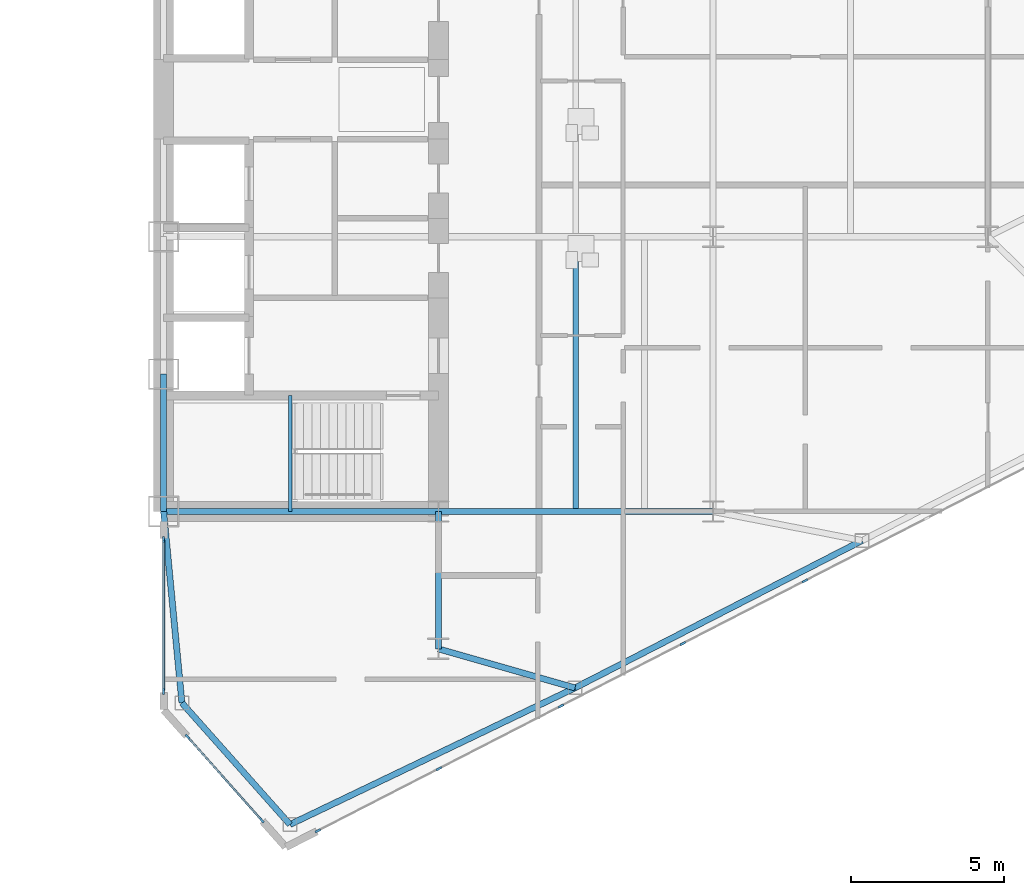
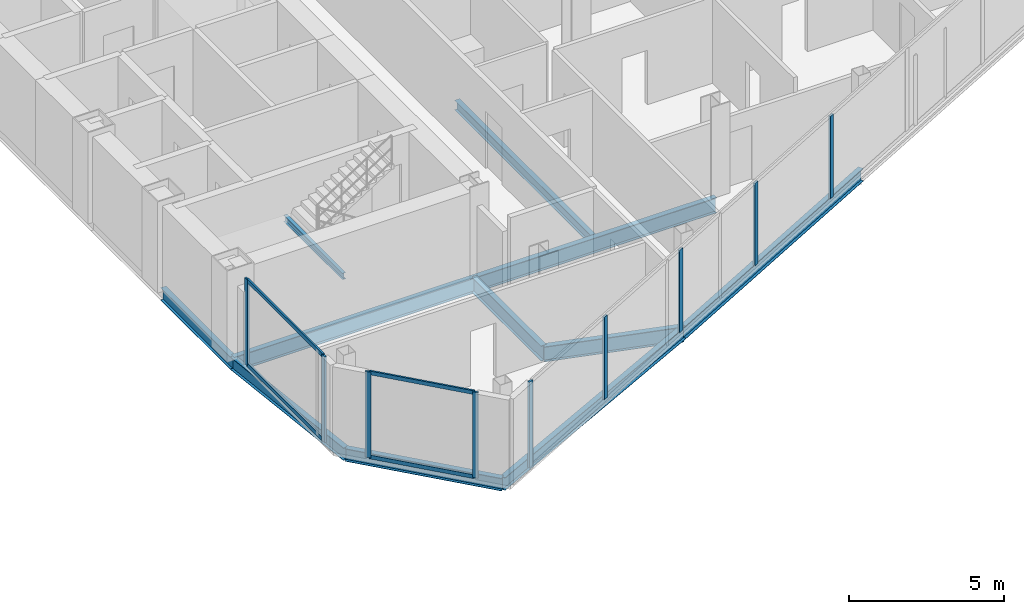
# One storey, part 8 of 24: 13 members, 11 beams, 3 elements without a shape of their own.
"""IFC4 building model written with IfcOpenShell, lengths in metres."""

from ifc_helpers import new_model, si_unit, direction, frame, origin, origin_2d, place, context, subcontext, project, spatial, rectangle, i_section, extrude, source, transform, mapped, material, layer, layer_set, material_profile, profile_set, type_object, type_shapes, element, aggregate, save


model = new_model("IFC4")

# Units and contexts
model_context = context("Model", 3, precision=1e-05, world=origin(), true_north=direction((0.0, 1.0)))
body_context = subcontext(model_context, "Body", "Model", "MODEL_VIEW")
ifc_project = project(units=[si_unit("LENGTHUNIT", "METRE"), si_unit("AREAUNIT", "SQUARE_METRE"), si_unit("VOLUMEUNIT", "CUBIC_METRE"), si_unit("PLANEANGLEUNIT", "RADIAN"), si_unit("MASSUNIT", "GRAM", prefix="KILO")], contexts=[model_context])

# Site, building, storey
site_placement = place(None, origin())
site = spatial("IfcSite", under=ifc_project, at=site_placement, CompositionType="ELEMENT")
building_placement = place(site_placement, origin())
building = spatial("IfcBuilding", under=site, at=building_placement, Name="Seokmaru Belvedere", CompositionType="ELEMENT")
storey_placement = place(building_placement, frame((0.0, 0.0, 117.60009765625)))
storey = spatial("IfcBuildingStorey", under=building, at=storey_placement, Name="L31", CompositionType="ELEMENT", Elevation=117.60009765625)

# Beams
ifc_material_1 = material(Name="Steel SM355 (355 MPa)", Category="steel")
ifc_material_profile_1 = material_profile(ifc_material_1, i_section(OverallWidth=0.199951171875, OverallDepth=0.5, WebThickness=0.010009765625, FlangeThickness=0.01611328125, at=origin_2d()), Name="H-500x200x10x16")
ifc_profile_set_1 = profile_set([ifc_material_profile_1], Name="Steel SM355 (355 MPa)")
beam_type_1 = type_object("IfcBeamType", Name="Perimeter Spandrel Beam H-500", PredefinedType="SPANDREL", material=ifc_profile_set_1)
shared_shape_1 = source(origin(), body_context, "Body", "SweptSolid", [
    extrude(i_section(OverallWidth=0.199951171875, OverallDepth=0.5, WebThickness=0.010009765625, FlangeThickness=0.01611328125, at=origin_2d()), origin(), (0.0, 0.0, 1.0), 4.5),
])
beam_1_placement = place(storey_placement, frame((27.5, -13.5, -0.47021484375), z_axis=(0.0, 1.0, 0.0), x_axis=(-1.0, 0.0, 0.0)))
element("IfcBeam", 1, at=beam_1_placement, inside=storey, type_object=beam_type_1, Name="L31 E Portal Spine Spandrel 1", PredefinedType="SPANDREL", context=body_context, shape_type="MappedRepresentation", body=[
    mapped(shared_shape_1, transform((0.0, 0.0, 0.0), scale=1.0)),
])
ifc_material_profile_2 = material_profile(ifc_material_1, i_section(OverallWidth=0.199951171875, OverallDepth=0.60009765625, WebThickness=0.010986328125, FlangeThickness=0.01708984375, at=origin_2d()), Name="H-600x200x11x17")
ifc_profile_set_2 = profile_set([ifc_material_profile_2], Name="Steel SM355 (355 MPa)")
beam_type_2 = type_object("IfcBeamType", Name="Primary Floor Girder H-600", PredefinedType="BEAM", material=ifc_profile_set_2)
shared_shape_2 = source(origin(), body_context, "Body", "SweptSolid", [
    extrude(i_section(OverallWidth=0.199951171875, OverallDepth=0.60009765625, WebThickness=0.010986328125, FlangeThickness=0.01708984375, at=origin_2d()), origin(), (0.0, 0.0, 1.0), 9.0),
])
for number, where, z_axis, x_axis, name in (
    (2, (27.5, -13.5, -0.52001953125), (1.0, 0.0, 0.0), (0.0, 1.0, 0.0), "L31 E Core Tie Girder 1"),
    (3, (36.5, -13.5, -0.52001953125), (1.0, 0.0, 0.0), (0.0, 1.0, 0.0), "L31 E Wing Primary Girder 1"),
):
    element("IfcBeam", number, at=place(storey_placement, frame(where, z_axis=z_axis, x_axis=x_axis)), inside=storey, type_object=beam_type_2, Name=name, PredefinedType="BEAM", context=body_context, shape_type="MappedRepresentation", body=[
        mapped(shared_shape_2, transform((0.0, 0.0, 0.0), scale=1.0)),
    ])
ifc_material_profile_3 = material_profile(ifc_material_1, i_section(OverallWidth=0.18505859375, OverallDepth=0.389892578125, WebThickness=0.008056640625, FlangeThickness=0.011962890625, at=origin_2d()), Name="H-390x185x8x12")
ifc_profile_set_3 = profile_set([ifc_material_profile_3], Name="Steel SM355 (355 MPa)")
beam_type_3 = type_object("IfcBeamType", Name="Secondary Floor Joist H-350", PredefinedType="JOIST", material=ifc_profile_set_3)
shared_shape_3 = source(origin(), body_context, "Body", "SweptSolid", [
    extrude(i_section(OverallWidth=0.18505859375, OverallDepth=0.389892578125, WebThickness=0.008056640625, FlangeThickness=0.011962890625, at=origin_2d()), origin(), (0.0, 0.0, 1.0), 8.7900390625),
])
type_shapes(beam_type_3, [shared_shape_3])
beam_2_placement = place(storey_placement, frame((41.0, -13.39501953125, -0.4150390625), z_axis=(0.0, 1.0, 0.0), x_axis=(-1.0, 0.0, 0.0)))
element("IfcBeam", 4, at=beam_2_placement, inside=storey, type_object=beam_type_3, Name="L31 E Secondary Floor Joist 1", PredefinedType="JOIST", context=body_context, shape_type="MappedRepresentation", body=[
    mapped(shared_shape_3, transform((0.0, 0.0, 0.0), scale=1.0)),
])
shared_shape_4 = source(origin(), body_context, "Body", "SweptSolid", [
    extrude(i_section(OverallWidth=0.199951171875, OverallDepth=0.60009765625, WebThickness=0.010986328125, FlangeThickness=0.01708984375, at=origin_2d()), origin(), (0.0, 0.0, 1.0), 4.5),
])
beam_3_placement = place(storey_placement, frame((36.5, -18.0, -0.52001953125), z_axis=(0.0, 1.0, 0.0), x_axis=(-1.0, 0.0, 0.0)))
element("IfcBeam", 5, at=beam_3_placement, inside=storey, type_object=beam_type_2, Name="L31 E Core Shoulder Girder S", PredefinedType="BEAM", context=body_context, shape_type="MappedRepresentation", body=[
    mapped(shared_shape_4, transform((0.0, 0.0, 0.0), scale=1.0)),
])
shared_shape_5 = source(origin(), body_context, "Body", "SweptSolid", [
    extrude(i_section(OverallWidth=0.199951171875, OverallDepth=0.5, WebThickness=0.010009765625, FlangeThickness=0.01611328125, at=origin_2d()), origin(), (0.0, 0.0, 1.0), 10.353759765625),
])
beam_4_placement = place(storey_placement, frame((31.6396484375, -23.75390625, -0.47021484375), z_axis=(0.901713202822, 0.432334708134, 0.0), x_axis=(-0.432334708134, 0.901713202822, 0.0)))
element("IfcBeam", 6, at=beam_4_placement, inside=storey, type_object=beam_type_1, Name="L31 E Faceted Flank Spandrel S-1", PredefinedType="SPANDREL", context=body_context, shape_type="MappedRepresentation", body=[
    mapped(shared_shape_5, transform((0.0, 0.0, 0.0), scale=1.0)),
])
shared_shape_6 = source(origin(), body_context, "Body", "SweptSolid", [
    extrude(i_section(OverallWidth=0.199951171875, OverallDepth=0.5, WebThickness=0.010009765625, FlangeThickness=0.01611328125, at=origin_2d()), origin(), (0.0, 0.0, 1.0), 10.56689453125),
])
beam_5_placement = place(storey_placement, frame((40.975830078125, -19.277587890625, -0.47021484375), z_axis=(0.889701972758, 0.45654178305, 0.0), x_axis=(-0.45654178305, 0.889701972758, 0.0)))
element("IfcBeam", 7, at=beam_5_placement, inside=storey, type_object=beam_type_1, Name="L31 E Faceted Flank Spandrel S-2", PredefinedType="SPANDREL", context=body_context, shape_type="MappedRepresentation", body=[
    mapped(shared_shape_6, transform((0.0, 0.0, 0.0), scale=1.0)),
])
shared_shape_7 = source(origin(), body_context, "Body", "SweptSolid", [
    extrude(i_section(OverallWidth=0.199951171875, OverallDepth=0.5, WebThickness=0.010009765625, FlangeThickness=0.01611328125, at=origin_2d()), origin(), (0.0, 0.0, 1.0), 5.32763671875),
])
beam_6_placement = place(storey_placement, frame((31.6396484375, -23.75390625, -0.47021484375), z_axis=(-0.66436952742, 0.74740426212, 0.0), x_axis=(-0.74740426212, -0.66436952742, 0.0)))
element("IfcBeam", 8, at=beam_6_placement, inside=storey, type_object=beam_type_1, Name="L31 E Shoulder Chamfer Spandrel S", PredefinedType="SPANDREL", context=body_context, shape_type="MappedRepresentation", body=[
    mapped(shared_shape_7, transform((0.0, 0.0, 0.0), scale=1.0)),
])
shared_shape_8 = source(origin(), body_context, "Body", "SweptSolid", [
    extrude(i_section(OverallWidth=0.199951171875, OverallDepth=0.5, WebThickness=0.010009765625, FlangeThickness=0.01611328125, at=origin_2d()), origin(), (0.0, 0.0, 1.0), 6.300537109375),
])
type_shapes(beam_type_1, [shared_shape_1, shared_shape_5, shared_shape_6, shared_shape_7, shared_shape_8])
beam_7_placement = place(storey_placement, frame((28.10009765625, -19.77197265625, -0.47021484375), z_axis=(-0.095244287992, 0.995453929424, 0.0), x_axis=(-0.995453929424, -0.095244287992, 0.0)))
element("IfcBeam", 9, at=beam_7_placement, inside=storey, type_object=beam_type_1, Name="L31 E Shoulder Spine Spandrel S", PredefinedType="SPANDREL", context=body_context, shape_type="MappedRepresentation", body=[
    mapped(shared_shape_8, transform((0.0, 0.0, 0.0), scale=1.0)),
])
shared_shape_9 = source(origin(), body_context, "Body", "SweptSolid", [
    extrude(i_section(OverallWidth=0.199951171875, OverallDepth=0.60009765625, WebThickness=0.010986328125, FlangeThickness=0.01708984375, at=origin_2d()), origin(), (0.0, 0.0, 1.0), 4.654541015625),
])
type_shapes(beam_type_2, [shared_shape_2, shared_shape_4, shared_shape_9])
beam_8_placement = place(storey_placement, frame((40.975830078125, -19.277587890625, -0.52001953125), z_axis=(-0.961593192625, 0.274478654721, 0.0), x_axis=(-0.274478654721, -0.961593192625, 0.0)))
element("IfcBeam", 10, at=beam_8_placement, inside=storey, type_object=beam_type_2, Name="L31 E Flank Radial Floor Girder S-1", PredefinedType="BEAM", context=body_context, shape_type="MappedRepresentation", body=[
    mapped(shared_shape_9, transform((0.0, 0.0, 0.0), scale=1.0)),
])

# Curtain wall, member
ifc_material_2 = material(Name="Bronze Triple Insulating Glass", Category="glass")
ifc_layer = layer(ifc_material_2, 0.195068359375)
ifc_layer_set = layer_set([ifc_layer], Name="Bronze Triple Insulating Glass")
curtain_wall_type = type_object("IfcCurtainWallType", Name="Sky-Lobby and Mid-Rise Curtain Wall System CW-4", PredefinedType="NOTDEFINED", material=ifc_layer_set)
curtain_wall_1_placement = place(storey_placement, origin())
curtain_wall_1 = element("IfcCurtainWall", 11, at=curtain_wall_1_placement, inside=storey, type_object=curtain_wall_type, Name="L31 Curtain Wall EF1", PredefinedType="NOTDEFINED")
ifc_material_3 = material(Name="Anodised Bronze Aluminium", Category="aluminium")
ifc_material_profile_4 = material_profile(ifc_material_3, rectangle(XDim=0.070068359375, YDim=0.195068359375, at=origin_2d()), Name="CW-M-70x195")
ifc_profile_set_4 = profile_set([ifc_material_profile_4], Name="Anodised Bronze Aluminium")
member_type_1 = type_object("IfcMemberType", Name="Bronze Unitised Mullion 70x195", PredefinedType="MULLION", material=ifc_profile_set_4)
shared_shape_10 = source(origin(), body_context, "Body", "SweptSolid", [
    extrude(rectangle(XDim=0.070068359375, YDim=0.195068359375, at=origin_2d()), origin(), (0.0, 0.0, 1.0), 3.3798828125),
])
member_1_placement = place(storey_placement, frame((32.55419921875, -23.958984375, 0.0), z_axis=(0.0, 0.0, 1.0), x_axis=(-0.456554528263, 0.889695432562, 0.0)))
member_1 = element("IfcMember", 12, at=member_1_placement, type_object=member_type_1, Name="CW:L31:EF1 Mullion 1", PredefinedType="MULLION", context=body_context, shape_type="MappedRepresentation", body=[
    mapped(shared_shape_10, transform((0.0, 0.0, 0.0), scale=1.0)),
])

# Curtain wall, members
curtain_wall_2_placement = place(storey_placement, origin())
curtain_wall_2 = element("IfcCurtainWall", 13, at=curtain_wall_2_placement, inside=storey, type_object=curtain_wall_type, Name="L31 Curtain Wall ESP_1", PredefinedType="NOTDEFINED")
member_2_placement = place(storey_placement, frame((27.5, -14.4150390625, 0.0), z_axis=(0.0, 0.0, 1.0), x_axis=(1.0, 0.0, 0.0)))
member_2 = element("IfcMember", 14, at=member_2_placement, type_object=member_type_1, Name="CW:L31:ESP_1 Mullion 1", PredefinedType="MULLION", context=body_context, shape_type="MappedRepresentation", body=[
    mapped(shared_shape_10, transform((0.0, 0.0, 0.0), scale=1.0)),
])
member_3_placement = place(storey_placement, frame((27.5, -19.39501953125, 0.0), z_axis=(0.0, 0.0, 1.0), x_axis=(1.0, 0.0, 0.0)))
member_3 = element("IfcMember", 15, at=member_3_placement, type_object=member_type_1, Name="CW:L31:ESP_1 Mullion 2", PredefinedType="MULLION", context=body_context, shape_type="MappedRepresentation", body=[
    mapped(shared_shape_10, transform((0.0, 0.0, 0.0), scale=1.0)),
])

curtain_wall_3_placement = place(storey_placement, origin())
curtain_wall_3 = element("IfcCurtainWall", 16, at=curtain_wall_3_placement, inside=storey, type_object=curtain_wall_type, Name="L31 Curtain Wall EF6", PredefinedType="NOTDEFINED")
member_4_placement = place(storey_placement, frame((28.287353515625, -20.8857421875, 0.0), z_axis=(0.0, 0.0, 1.0), x_axis=(0.747409774804, 0.664363325694, 0.0)))
member_4 = element("IfcMember", 17, at=member_4_placement, type_object=member_type_1, Name="CW:L31:EF6 Mullion 1", PredefinedType="MULLION", context=body_context, shape_type="MappedRepresentation", body=[
    mapped(shared_shape_10, transform((0.0, 0.0, 0.0), scale=1.0)),
])
member_5_placement = place(storey_placement, frame((30.712646484375, -23.6142578125, 0.0), z_axis=(0.0, 0.0, 1.0), x_axis=(0.747409774804, 0.664363325694, 0.0)))
member_5 = element("IfcMember", 18, at=member_5_placement, type_object=member_type_1, Name="CW:L31:EF6 Mullion 2", PredefinedType="MULLION", context=body_context, shape_type="MappedRepresentation", body=[
    mapped(shared_shape_10, transform((0.0, 0.0, 0.0), scale=1.0)),
])

# Member
ifc_material_profile_5 = material_profile(ifc_material_3, rectangle(XDim=0.06494140625, YDim=0.14990234375, at=origin_2d()), Name="CW-T-65x150")
ifc_profile_set_5 = profile_set([ifc_material_profile_5], Name="Anodised Bronze Aluminium")
member_type_2 = type_object("IfcMemberType", Name="Bronze Unitised Transom 65x150", PredefinedType="USERDEFINED", material=ifc_profile_set_5)
shared_shape_11 = source(origin(), body_context, "Body", "SweptSolid", [
    extrude(rectangle(XDim=0.06494140625, YDim=0.14990234375, at=origin_2d()), origin(), (0.0, 0.0, 1.0), 4.91015625),
])
member_6_placement = place(storey_placement, frame((27.5, -14.449951171875, 0.032470703125), z_axis=(0.0, -1.0, 0.0), x_axis=(1.0, 0.0, 0.0)))
member_6 = element("IfcMember", 19, at=member_6_placement, type_object=member_type_2, Name="CW:L31:ESP_1 Continuous Transom 1", ObjectType="TRANSOM", PredefinedType="USERDEFINED", context=body_context, shape_type="MappedRepresentation", body=[
    mapped(shared_shape_11, transform((0.0, 0.0, 0.0), scale=1.0)),
])

member_7_placement = place(storey_placement, frame((27.5, -14.449951171875, 3.347412109375), z_axis=(0.0, -1.0, 0.0), x_axis=(1.0, 0.0, 0.0)))
member_7 = element("IfcMember", 20, at=member_7_placement, type_object=member_type_2, Name="CW:L31:ESP_1 Continuous Transom 2", ObjectType="TRANSOM", PredefinedType="USERDEFINED", context=body_context, shape_type="MappedRepresentation", body=[
    mapped(shared_shape_11, transform((0.0, 0.0, 0.0), scale=1.0)),
])

aggregate(curtain_wall_2, [member_2, member_3, member_6, member_7])

shared_shape_12 = source(origin(), body_context, "Body", "SweptSolid", [
    extrude(rectangle(XDim=0.06494140625, YDim=0.14990234375, at=origin_2d()), origin(), (0.0, 0.0, 1.0), 3.580810546875),
])
type_shapes(member_type_2, [shared_shape_11, shared_shape_12])
member_8_placement = place(storey_placement, frame((28.310546875, -20.911865234375, 0.032470703125), z_axis=(0.66436383883, -0.747409318684, 0.0), x_axis=(0.747409318684, 0.66436383883, 0.0)))
member_8 = element("IfcMember", 21, at=member_8_placement, type_object=member_type_2, Name="CW:L31:EF6 Continuous Transom 1", ObjectType="TRANSOM", PredefinedType="USERDEFINED", context=body_context, shape_type="MappedRepresentation", body=[
    mapped(shared_shape_12, transform((0.0, 0.0, 0.0), scale=1.0)),
])

member_9_placement = place(storey_placement, frame((28.310546875, -20.911865234375, 3.347412109375), z_axis=(0.66436383883, -0.747409318684, 0.0), x_axis=(0.747409318684, 0.66436383883, 0.0)))
member_9 = element("IfcMember", 22, at=member_9_placement, type_object=member_type_2, Name="CW:L31:EF6 Continuous Transom 2", ObjectType="TRANSOM", PredefinedType="USERDEFINED", context=body_context, shape_type="MappedRepresentation", body=[
    mapped(shared_shape_12, transform((0.0, 0.0, 0.0), scale=1.0)),
])

aggregate(curtain_wall_3, [member_4, member_5, member_8, member_9])

shared_shape_13 = source(origin(), body_context, "Body", "SweptSolid", [
    extrude(rectangle(XDim=0.070068359375, YDim=0.195068359375, at=origin_2d()), origin(), (0.0, 0.0, 1.0), 3.25),
])
type_shapes(member_type_1, [shared_shape_10, shared_shape_13])
member_10_placement = place(storey_placement, frame((36.51806640625, -21.925048828125, 0.06494140625), z_axis=(0.0, 0.0, 1.0), x_axis=(-0.456554528263, 0.889695432562, 0.0)))
member_10 = element("IfcMember", 23, at=member_10_placement, type_object=member_type_1, Name="CW:L31:EF1 Mullion 2", PredefinedType="MULLION", context=body_context, shape_type="MappedRepresentation", body=[
    mapped(shared_shape_13, transform((0.0, 0.0, 0.0), scale=1.0)),
])

member_11_placement = place(storey_placement, frame((40.5126953125, -19.875, 0.06494140625), z_axis=(0.0, 0.0, 1.0), x_axis=(-0.456554528263, 0.889695432562, 0.0)))
member_11 = element("IfcMember", 24, at=member_11_placement, type_object=member_type_1, Name="CW:L31:EF1 Mullion 3", PredefinedType="MULLION", context=body_context, shape_type="MappedRepresentation", body=[
    mapped(shared_shape_13, transform((0.0, 0.0, 0.0), scale=1.0)),
])

member_12_placement = place(storey_placement, frame((44.5078125, -17.824951171875, 0.06494140625), z_axis=(0.0, 0.0, 1.0), x_axis=(-0.456554528263, 0.889695432562, 0.0)))
member_12 = element("IfcMember", 25, at=member_12_placement, type_object=member_type_1, Name="CW:L31:EF1 Mullion 4", PredefinedType="MULLION", context=body_context, shape_type="MappedRepresentation", body=[
    mapped(shared_shape_13, transform((0.0, 0.0, 0.0), scale=1.0)),
])

member_13_placement = place(storey_placement, frame((48.502685546875, -15.77490234375, 0.06494140625), z_axis=(0.0, 0.0, 1.0), x_axis=(-0.456554528263, 0.889695432562, 0.0)))
member_13 = element("IfcMember", 26, at=member_13_placement, type_object=member_type_1, Name="CW:L31:EF1 Mullion 5", PredefinedType="MULLION", context=body_context, shape_type="MappedRepresentation", body=[
    mapped(shared_shape_13, transform((0.0, 0.0, 0.0), scale=1.0)),
])

aggregate(curtain_wall_1, [member_1, member_10, member_11, member_12, member_13])

# Beam
ifc_material_profile_6 = material_profile(ifc_material_1, i_section(OverallWidth=0.125, OverallDepth=0.25, WebThickness=0.006103515625, FlangeThickness=0.009033203125, at=origin_2d()), Name="H-250x125x6x9")
ifc_profile_set_6 = profile_set([ifc_material_profile_6], Name="Steel SM355 (355 MPa)")
beam_type_4 = type_object("IfcBeamType", Name="Stair Mid-Landing Support Beam H-250", PredefinedType="JOIST", material=ifc_profile_set_6)
shared_shape_14 = source(origin(), body_context, "Body", "SweptSolid", [
    extrude(i_section(OverallWidth=0.125, OverallDepth=0.25, WebThickness=0.006103515625, FlangeThickness=0.009033203125, at=origin_2d()), origin(), (0.0, 0.0, 1.0), 3.800048828125),
])
type_shapes(beam_type_4, [shared_shape_14])
beam_9_placement = place(storey_placement, frame((31.64990234375, -13.5, 1.474853515625), z_axis=(0.0, 1.0, 0.0), x_axis=(-1.0, 0.0, 0.0)))
element("IfcBeam", 27, at=beam_9_placement, inside=storey, type_object=beam_type_4, Name="L31 Stair ST-E1 Mid-Landing Support Beam 1", PredefinedType="JOIST", context=body_context, shape_type="MappedRepresentation", body=[
    mapped(shared_shape_14, transform((0.0, 0.0, 0.0), scale=1.0)),
])

save(model, "model.ifc")
